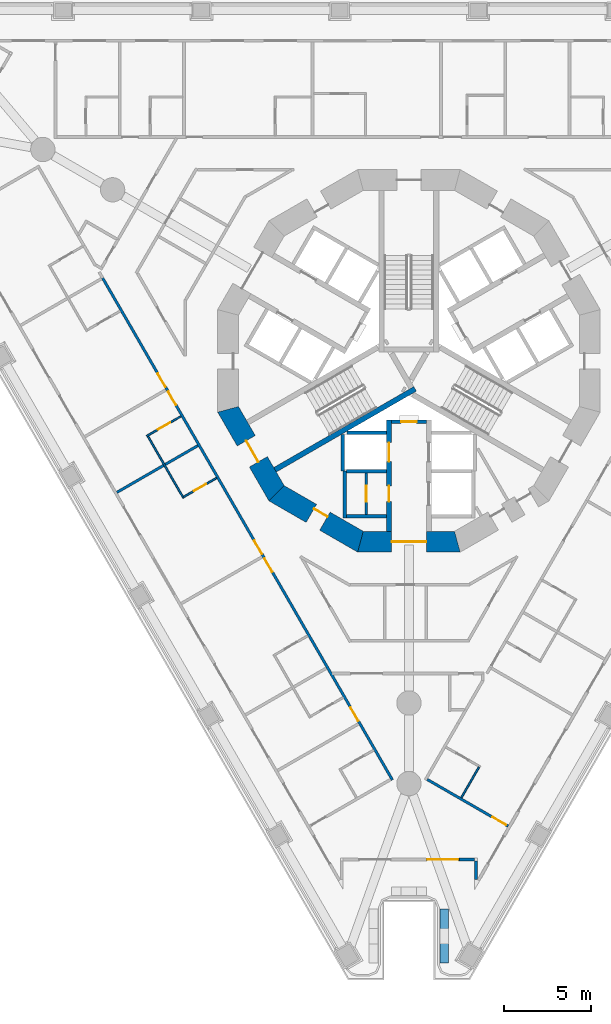
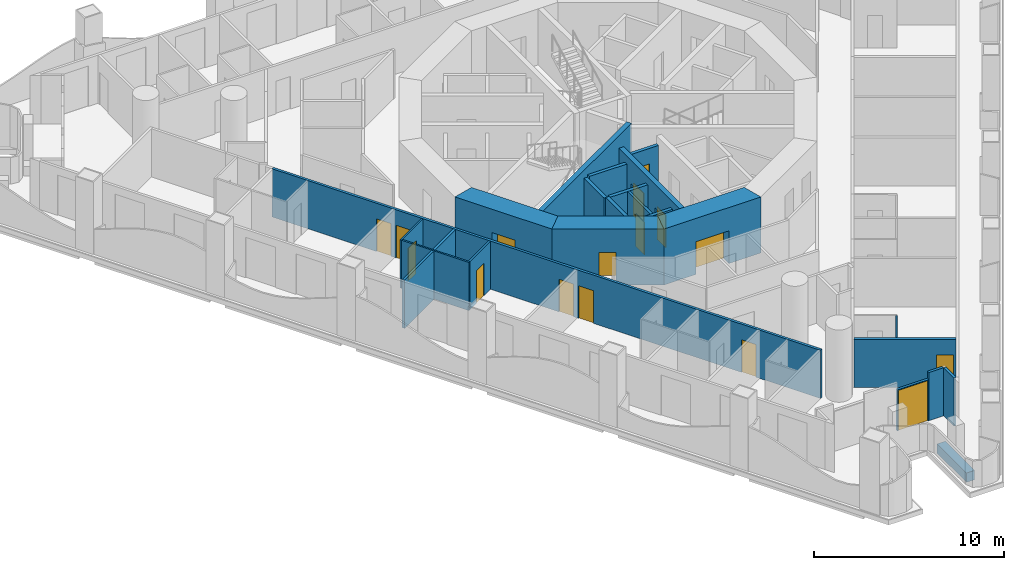
# One storey, part 3 of 19: 23 walls, 16 doors, 16 openings.
"""IFC4 building model written with IfcOpenShell, lengths in metres."""

import ifcopenshell
import ifcopenshell.guid

model = None  # the IFC model being written
_history = None  # IfcOwnerHistory: only IFC2X3 demands one
_inside = {}  # id of a spatial element -> (the spatial element, [elements in it])
_under = {}  # id of a project, library or spatial element -> (it, [spatial elements below it])
_declared = {}  # id of a project -> (the project, [libraries it declares])
_typed = {}  # id of a type object -> (the type object, [elements of that type])
_made_of = {}  # id of a material, layer set ... -> (it, [elements and type objects made of it])


def new_model(schema):
    """Start an empty IFC model of exactly this schema.

    Asked for "IFC4X3", IfcOpenShell would pick the latest addendum, in which some entities
    have other attributes; the version numbers below select the first issue.
    IFC2X3 requires an IfcOwnerHistory on every rooted entity: one is made here for all.
    """
    global model, _history
    if schema == "IFC4X3":
        model = ifcopenshell.file(schema_version=(4, 3, 0, 0))
    else:
        model = ifcopenshell.file(schema=schema)
    _inside.clear()
    _under.clear()
    _declared.clear()
    _typed.clear()
    _made_of.clear()
    _history = None
    if model.schema == "IFC2X3":
        org = make("IfcOrganization", Name="unknown")
        user = make(
            "IfcPersonAndOrganization",
            ThePerson=make("IfcPerson", FamilyName="unknown"),
            TheOrganization=org,
        )
        app = make(
            "IfcApplication",
            ApplicationDeveloper=org,
            Version="unknown",
            ApplicationFullName="unknown",
            ApplicationIdentifier="unknown",
        )
        _history = make(
            "IfcOwnerHistory",
            OwningUser=user,
            OwningApplication=app,
            ChangeAction="ADDED",
            CreationDate=0,
        )
    return model


def make(cls, **values):
    """One entity of the class cls with the attributes given. An attribute that is None is left unset."""
    return model.create_entity(
        cls, **{name: value for name, value in values.items() if value is not None}
    )


def rooted(cls, **values):
    """An entity with a GlobalId (a new one), such as an element, a storey or a relation."""
    return make(cls, GlobalId=ifcopenshell.guid.new(), OwnerHistory=_history, **values)


def si_unit(unit_type, name, prefix=None):
    """IfcSIUnit, for example si_unit("LENGTHUNIT", "METRE", prefix="MILLI")."""
    return make("IfcSIUnit", UnitType=unit_type, Prefix=prefix, Name=name)


def assignment(units):
    """IfcUnitAssignment: the units of a project."""
    return None if units is None else make("IfcUnitAssignment", Units=units)


def point(xyz):
    """IfcCartesianPoint."""
    return None if xyz is None else make("IfcCartesianPoint", Coordinates=xyz)


def direction(xyz):
    """IfcDirection."""
    return None if xyz is None else make("IfcDirection", DirectionRatios=xyz)


def frame(location, z_axis=None, x_axis=None):
    """IfcAxis2Placement3D, a coordinate frame: its origin and axes. An axis left out is left unset."""
    return make(
        "IfcAxis2Placement3D",
        Location=point(location),
        Axis=direction(z_axis),
        RefDirection=direction(x_axis),
    )


def frame_2d(location, x_axis=None):
    """IfcAxis2Placement2D, a coordinate frame in the plane: its origin and x axis."""
    return make(
        "IfcAxis2Placement2D", Location=point(location), RefDirection=direction(x_axis)
    )


def origin():
    """The frame at (0, 0, 0) with its axes left unset."""
    return frame((0.0, 0.0, 0.0))


def place(relative_to, where):
    """IfcLocalPlacement: puts the frame where relative to a parent placement (None: the world)."""
    return make(
        "IfcLocalPlacement", PlacementRelTo=relative_to, RelativePlacement=where
    )


def context(
    kind, dimensions, precision=None, world=None, true_north=None, identifier=None
):
    """IfcGeometricRepresentationContext, for example the 3D "Model" context."""
    return make(
        "IfcGeometricRepresentationContext",
        ContextIdentifier=identifier,
        ContextType=kind,
        CoordinateSpaceDimension=dimensions,
        Precision=precision,
        WorldCoordinateSystem=world,
        TrueNorth=true_north,
    )


def subcontext(parent, identifier, kind, view, scale=None):
    """IfcGeometricRepresentationSubContext, for example "Body" below "Model"."""
    return make(
        "IfcGeometricRepresentationSubContext",
        ContextIdentifier=identifier,
        ContextType=kind,
        ParentContext=parent,
        TargetScale=scale,
        TargetView=view,
    )


def project(units=None, contexts=None):
    """IfcProject with its units and contexts."""
    return rooted(
        "IfcProject",
        Name="project",
        RepresentationContexts=contexts,
        UnitsInContext=assignment(units),
    )


def spatial(cls, under=None, at=None, **own):
    """A site, building, storey or space (cls), placed at a placement, below another one or the project."""
    s = rooted(cls, ObjectPlacement=at, **own)
    if under is not None:
        _under.setdefault(under.id(), (under, []))[1].append(s)
    return s


def polyline(points):
    """IfcPolyline through the points."""
    return make("IfcPolyline", Points=[point(p) for p in points])


def profile(cls, at=None, kind="AREA", **sizes):
    """A parametric profile (cls). Its sizes go by their IFC names, for example OverallWidth=200.0."""
    return make(cls, ProfileType=kind, Position=at, **sizes)


def rectangle(**sizes):
    """IfcRectangleProfileDef."""
    return profile("IfcRectangleProfileDef", **sizes)


def outline(outer, holes=None, kind="AREA"):
    """IfcArbitraryClosedProfileDef: a profile drawn as a closed curve; with holes, ...WithVoids."""
    if holes is None:
        return make("IfcArbitraryClosedProfileDef", ProfileType=kind, OuterCurve=outer)
    return make(
        "IfcArbitraryProfileDefWithVoids",
        ProfileType=kind,
        OuterCurve=outer,
        InnerCurves=holes,
    )


def extrude(swept, where, along, depth):
    """IfcExtrudedAreaSolid: the profile swept, set in the frame where, extruded along a direction by depth."""
    return make(
        "IfcExtrudedAreaSolid",
        SweptArea=swept,
        Position=where,
        ExtrudedDirection=direction(along),
        Depth=depth,
    )


def shape(context_of_items, identifier, shape_type, items):
    """IfcShapeRepresentation: the items that make up one representation, for example the "Body"."""
    return make(
        "IfcShapeRepresentation",
        ContextOfItems=context_of_items,
        RepresentationIdentifier=identifier,
        RepresentationType=shape_type,
        Items=items,
    )


def material(Name=None, Category=None):
    """IfcMaterial."""
    return make("IfcMaterial", Name=Name, Category=Category)


def layer(
    of_material, thickness, ventilated=None, Name=None, Category=None, Priority=None
):
    """IfcMaterialLayer: one layer of a wall or slab, of a material (None: an air gap)."""
    return make(
        "IfcMaterialLayer",
        Material=of_material,
        LayerThickness=thickness,
        IsVentilated=ventilated,
        Name=Name,
        Category=Category,
        Priority=Priority,
    )


def layer_set(layers, Name=None):
    """IfcMaterialLayerSet."""
    return make("IfcMaterialLayerSet", MaterialLayers=layers, LayerSetName=Name)


def made_of(thing, what):
    """Note that an element or type object is made of a material, layer set ...; save() writes the relation."""
    if what is not None:
        _made_of.setdefault(what.id(), (what, []))[1].append(thing)
    return thing


def type_object(cls, material=None, **own):
    """A type object (cls), such as IfcWallType, which elements share."""
    return made_of(rooted(cls, **own), material)


def element(
    cls,
    number,
    at=None,
    inside=None,
    cuts=None,
    type_object=None,
    material=None,
    context=None,
    identifier="Body",
    shape_type=None,
    held_by="IfcProductDefinitionShape",
    body=None,
    shapes=None,
    **own,
):
    """One element of the class cls, such as IfcWall. Its Tag is "e" and its number.

    at: its placement. inside: the storey or other place that contains it. cuts: it is an
    opening in that element (IfcRelVoidsElement). A single representation is given by context,
    identifier, shape_type and body (its items); several are given by shapes. held_by: the class
    of the entity that holds the representations. save() writes the other relations.
    """
    e = rooted(cls, Tag="e%d" % number, ObjectPlacement=at, **own)
    if body is not None:
        shapes = [shape(context, identifier, shape_type, body)]
    if shapes is not None:
        e.Representation = make(held_by, Representations=shapes)
    if inside is not None:
        _inside.setdefault(inside.id(), (inside, []))[1].append(e)
    if cuts is not None:
        rooted(
            "IfcRelVoidsElement", RelatingBuildingElement=cuts, RelatedOpeningElement=e
        )
    if type_object is not None:
        _typed.setdefault(type_object.id(), (type_object, []))[1].append(e)
    return made_of(e, material)


def fill(opening, filler):
    """IfcRelFillsElement: the door or window that sits in an opening."""
    return rooted(
        "IfcRelFillsElement",
        RelatingOpeningElement=opening,
        RelatedBuildingElement=filler,
    )


def aggregate(whole, parts):
    """IfcRelAggregates: a whole, such as a stair, and the parts it consists of."""
    return rooted("IfcRelAggregates", RelatingObject=whole, RelatedObjects=parts)


def save(model, path):
    """Write the relations noted so far, then the file.

    IfcRelAggregates (storeys below a building ...), IfcRelContainedInSpatialStructure (elements
    in a storey), IfcRelDefinesByType, IfcRelAssociatesMaterial and IfcRelDeclares: one each for
    every whole, place, type object, material and project.
    """
    for whole, parts in _under.values():
        aggregate(whole, parts)
    for where, things in _inside.values():
        rooted(
            "IfcRelContainedInSpatialStructure",
            RelatedElements=things,
            RelatingStructure=where,
        )
    for kind, things in _typed.values():
        rooted("IfcRelDefinesByType", RelatedObjects=things, RelatingType=kind)
    for what, things in _made_of.values():
        rooted("IfcRelAssociatesMaterial", RelatedObjects=things, RelatingMaterial=what)
    for by, libraries in _declared.values():
        rooted("IfcRelDeclares", RelatingContext=by, RelatedDefinitions=libraries)
    model.write(path)


model = new_model("IFC4")

# Units and contexts
model_context = context("Model", 3, precision=1e-05, world=origin(), true_north=direction((0.0, 1.0)))
body_context = subcontext(model_context, "Body", "Model", "MODEL_VIEW")
ifc_project = project(units=[si_unit("LENGTHUNIT", "METRE"), si_unit("AREAUNIT", "SQUARE_METRE"), si_unit("VOLUMEUNIT", "CUBIC_METRE"), si_unit("PLANEANGLEUNIT", "RADIAN"), si_unit("MASSUNIT", "GRAM", prefix="KILO")], contexts=[model_context])

# Site, building, storey
site_placement = place(None, origin())
site = spatial("IfcSite", under=ifc_project, at=site_placement, CompositionType="ELEMENT")
building_placement = place(site_placement, origin())
building = spatial("IfcBuilding", under=site, at=building_placement, Name="Trine Commons Tower", CompositionType="ELEMENT")
storey_placement = place(building_placement, frame((0.0, 0.0, 42.300048828125)))
storey = spatial("IfcBuildingStorey", under=building, at=storey_placement, Name="L09", CompositionType="ELEMENT", Elevation=42.300048828125)

# Wall, opening, door
ifc_material_1 = material(Name="Plasterboard partition on steel studs", Category="steel")
ifc_layer_1 = layer(ifc_material_1, 0.14990234375)
ifc_layer_set_1 = layer_set([ifc_layer_1], Name="Plasterboard partition on steel studs")
wall_type_1 = type_object("IfcWallType", Name="Core room partition 150 mm, EI 60", PredefinedType="PARTITIONING", material=ifc_layer_set_1)
wall_1_placement = place(storey_placement, frame((77.550048828125, 56.050048828125, 0.0), z_axis=(0.0, 0.0, 1.0), x_axis=(0.0, -1.0, 0.0)))
wall_1 = element("IfcWall", 1, at=wall_1_placement, inside=storey, type_object=wall_type_1, Name="Core room partition L09", PredefinedType="PARTITIONING", context=body_context, shape_type="SweptSolid", body=[
    extrude(rectangle(XDim=2.400146484375, YDim=0.14990234375, at=frame_2d((1.2001953125, 0.0))), origin(), (0.0, 0.0, 1.0), 3.099853515625),
])
opening_1_placement = place(wall_1_placement, frame((0.75, 0.0, 0.0)))
opening_1 = element("IfcOpeningElement", 2, at=opening_1_placement, cuts=wall_1, Name="Opening K04.11", PredefinedType="OPENING", context=body_context, shape_type="SweptSolid", body=[
    extrude(rectangle(XDim=0.89990234375, YDim=2.10009765625, at=frame_2d((0.449951171875, 1.050048828125))), frame((0.0, 0.0849609375, 0.0), z_axis=(0.0, -1.0, 0.0), x_axis=(1.0, 0.0, 0.0)), (0.0, 0.0, 1.0), 0.169921875),
])
ifc_material_2 = material(Name="Steel door leaf, fire-rated", Category="steel")
door_type_1 = type_object("IfcDoorType", Name="Core room door, single leaf 900 x 2100, FD30S", OperationType="SINGLE_SWING_LEFT", PredefinedType="DOOR", material=ifc_material_2)
door_1_placement = place(opening_1_placement, frame((0.89990234375, 0.0, 0.0), z_axis=(0.0, 0.0, 1.0), x_axis=(-1.0, 0.0, 0.0)))
door_1 = element("IfcDoor", 3, at=door_1_placement, inside=storey, type_object=door_type_1, Name="Door to Pantry L09", OperationType="SINGLE_SWING_LEFT", OverallHeight=2.10009765625, OverallWidth=0.89990234375, PredefinedType="DOOR", context=body_context, shape_type="SweptSolid", body=[
    extrude(rectangle(XDim=0.89990234375, YDim=2.10009765625, at=frame_2d((0.449951171875, 1.050048828125))), frame((0.0, 0.02490234375, 0.0), z_axis=(0.0, -1.0, 0.0), x_axis=(1.0, 0.0, 0.0)), (0.0, 0.0, 1.0), 0.050048828125),
])
fill(opening_1, door_1)

# Walls
ifc_material_3 = material(Name="Aluminium-framed insulated wall panel", Category="aluminium")
ifc_layer_2 = layer(ifc_material_3, 0.14990234375)
ifc_layer_set_2 = layer_set([ifc_layer_2], Name="Aluminium-framed insulated wall panel")
wall_type_2 = type_object("IfcWallType", Name="Glazed frame wall 150, EI 60", PredefinedType="SOLIDWALL", material=ifc_layer_set_2)
wall_2_placement = place(storey_placement, frame((83.864990234375, 32.48583984375, 0.0), z_axis=(0.0, 0.0, 1.0), x_axis=(0.0, 1.0, 0.0)))
element("IfcWall", 4, at=wall_2_placement, inside=storey, type_object=wall_type_2, Name="Glazed frame wall R9", PredefinedType="SOLIDWALL", context=body_context, shape_type="SweptSolid", body=[
    extrude(outline(polyline([(0.1494140625, 0.074951171875), (0.1494140625, -0.074951171875), (1.235107421875, -0.074951171875), (1.235107421875, 0.074951171875), (0.1494140625, 0.074951171875)])), origin(), (0.0, 0.0, 1.0), 3.099853515625),
])
wall_3_placement = place(storey_placement, frame((83.89990234375, 33.7958984375, 0.0), z_axis=(0.0, 0.0, 1.0), x_axis=(-1.0, 0.0, 0.0)))
element("IfcWall", 5, at=wall_3_placement, inside=storey, type_object=wall_type_2, Name="Glazed frame wall P3.1", PredefinedType="SOLIDWALL", context=body_context, shape_type="SweptSolid", body=[
    extrude(outline(polyline([(0.110107421875, -0.074951171875), (1.0, -0.074951171875), (1.0, 0.074951171875), (0.110107421875, 0.074951171875), (0.110107421875, -0.074951171875)])), origin(), (0.0, 0.0, 1.0), 3.099853515625),
])

# Wall, opening, door
wall_4_placement = place(storey_placement, frame((82.89990234375, 33.7958984375, 0.0), z_axis=(0.0, 0.0, 1.0), x_axis=(-1.0, 0.0, 0.0)))
wall_4 = element("IfcWall", 6, at=wall_4_placement, inside=storey, type_object=wall_type_2, Name="Glazed frame wall P3.2", PredefinedType="SOLIDWALL", context=body_context, shape_type="SweptSolid", body=[
    extrude(outline(polyline([(0.0, -0.074951171875), (1.89990234375, -0.074951171875), (1.89990234375, 0.074951171875), (0.0, 0.074951171875), (0.0, -0.074951171875)])), origin(), (0.0, 0.0, 1.0), 2.64990234375),
])
opening_2_placement = place(wall_4_placement, frame((0.050048828125, 0.0, 0.0)))
opening_2 = element("IfcOpeningElement", 7, at=opening_2_placement, cuts=wall_4, Name="Opening BD-1P3-01", PredefinedType="OPENING", context=body_context, shape_type="SweptSolid", body=[
    extrude(rectangle(XDim=1.800048828125, YDim=2.60009765625, at=frame_2d((0.89990234375, 1.300048828125))), frame((0.0, 0.0849609375, 0.0), z_axis=(0.0, -1.0, 0.0), x_axis=(1.0, 0.0, 0.0)), (0.0, 0.0, 1.0), 0.169921875),
])
ifc_material_4 = material(Name="Anodised aluminium frame with double glazing", Category="aluminium")
door_type_2 = type_object("IfcDoorType", Name="Sliding loggia door 1800x2600", OperationType="SLIDING_TO_LEFT", PredefinedType="DOOR", material=ifc_material_4)
door_2_placement = place(opening_2_placement, origin())
door_2 = element("IfcDoor", 8, at=door_2_placement, inside=storey, type_object=door_type_2, Name="Loggia door P3 1", OperationType="SLIDING_TO_LEFT", OverallHeight=2.60009765625, OverallWidth=1.800048828125, PredefinedType="DOOR", context=body_context, shape_type="SweptSolid", body=[
    extrude(rectangle(XDim=1.800048828125, YDim=2.60009765625, at=frame_2d((0.89990234375, 1.300048828125))), frame((0.0, 0.02490234375, 0.0), z_axis=(0.0, -1.0, 0.0), x_axis=(1.0, 0.0, 0.0)), (0.0, 0.0, 1.0), 0.050048828125),
])
fill(opening_2, door_2)

ifc_material_5 = material(Name="Fire-rated gypsum shaft wall system")
ifc_layer_3 = layer(ifc_material_5, 0.199951171875)
ifc_layer_set_3 = layer_set([ifc_layer_3], Name="Fire-rated gypsum shaft wall system")
wall_type_3 = type_object("IfcWallType", Name="Lobby end wall 200 mm, EI 120", PredefinedType="PARTITIONING", material=ifc_layer_set_3)
wall_5_placement = place(storey_placement, frame((79.0, 59.0, 0.0), z_axis=(0.0, 0.0, 1.0), x_axis=(1.0, 0.0, 0.0)))
wall_5 = element("IfcWall", 9, at=wall_5_placement, inside=storey, type_object=wall_type_3, Name="Lobby end wall L09", PredefinedType="PARTITIONING", context=body_context, shape_type="SweptSolid", body=[
    extrude(rectangle(XDim=2.0, YDim=0.199951171875, at=frame_2d((1.0, 0.0))), origin(), (0.0, 0.0, 1.0), 3.099853515625),
])
opening_3_placement = place(wall_5_placement, frame((0.550048828125, 0.0, 0.0)))
opening_3 = element("IfcOpeningElement", 10, at=opening_3_placement, cuts=wall_5, Name="Opening K04.09", PredefinedType="OPENING", context=body_context, shape_type="SweptSolid", body=[
    extrude(rectangle(XDim=0.89990234375, YDim=2.10009765625, at=frame_2d((0.449951171875, 1.050048828125))), frame((0.0, 0.10986328125, 0.0), z_axis=(0.0, -1.0, 0.0), x_axis=(1.0, 0.0, 0.0)), (0.0, 0.0, 1.0), 0.219970703125),
])
door_type_3 = type_object("IfcDoorType", Name="Riser access door, single leaf 900 x 2100, FD60", OperationType="SINGLE_SWING_LEFT", PredefinedType="DOOR", material=ifc_material_2)
door_3_placement = place(opening_3_placement, frame((0.89990234375, 0.0, 0.0), z_axis=(0.0, 0.0, 1.0), x_axis=(-1.0, 0.0, 0.0)))
door_3 = element("IfcDoor", 11, at=door_3_placement, inside=storey, type_object=door_type_3, Name="Riser door, Communications riser L09", OperationType="SINGLE_SWING_RIGHT", OverallHeight=2.10009765625, OverallWidth=0.89990234375, PredefinedType="DOOR", context=body_context, shape_type="SweptSolid", body=[
    extrude(rectangle(XDim=0.89990234375, YDim=2.10009765625, at=frame_2d((0.449951171875, 1.050048828125))), frame((0.0, 0.02490234375, 0.0), z_axis=(0.0, -1.0, 0.0), x_axis=(1.0, 0.0, 0.0)), (0.0, 0.0, 1.0), 0.050048828125),
])
fill(opening_3, door_3)

# Wall
ifc_material_6 = material(Name="Planter trough, precast concrete C40/50", Category="concrete")
ifc_layer_4 = layer(ifc_material_6, 0.5)
ifc_layer_set_4 = layer_set([ifc_layer_4], Name="Planter trough, precast concrete C40/50")
wall_type_4 = type_object("IfcWallType", Name="Planter trough 500x600", PredefinedType="PARAPET", material=ifc_layer_set_4)
wall_6_placement = place(storey_placement, frame((82.0400390625, 27.830810546875, 0.0), z_axis=(0.0, 0.0, 1.0), x_axis=(0.0, 1.0, 0.0)))
element("IfcWall", 12, at=wall_6_placement, inside=storey, type_object=wall_type_4, Name="Planter 7", PredefinedType="PARAPET", context=body_context, shape_type="SweptSolid", body=[
    extrude(rectangle(XDim=3.10009765625, YDim=0.5, at=frame_2d((1.550048828125, 0.0))), origin(), (0.0, 0.0, 1.0), 0.599853515625),
])

# Wall, opening, door
ifc_material_7 = material(Name="Concrete C80/95", Category="concrete")
ifc_layer_5 = layer(ifc_material_7, 1.199951171875)
ifc_layer_set_5 = layer_set([ifc_layer_5], Name="Concrete C80/95")
wall_type_5 = type_object("IfcWallType", Name="RC shear wall 1200 mm, C80/95", PredefinedType="SHEAR", material=ifc_layer_set_5)
wall_7_placement = place(storey_placement, frame((69.508056640625, 59.849609375, 0.0), z_axis=(0.0, 0.0, 1.0), x_axis=(0.499979111662, -0.866037463336, 0.0)))
wall_7 = element("IfcWall", 13, at=wall_7_placement, inside=storey, type_object=wall_type_5, Name="Core wall CWA-08 L09", PredefinedType="SHEAR", context=body_context, shape_type="SweptSolid", body=[
    extrude(outline(polyline([(0.0, -0.60009765625), (5.901123046875, -0.60009765625), (5.57958984375, 0.60009765625), (0.321533203125, 0.60009765625), (0.0, -0.60009765625)])), origin(), (0.0, 0.0, 1.0), 3.599853515625),
])
opening_4_placement = place(wall_7_placement, frame((2.25048828125, 0.0, 0.0)))
opening_4 = element("IfcOpeningElement", 14, at=opening_4_placement, cuts=wall_7, Name="Opening K04.02", PredefinedType="OPENING", context=body_context, shape_type="SweptSolid", body=[
    extrude(rectangle(XDim=1.39990234375, YDim=2.10009765625, at=frame_2d((0.699951171875, 1.050048828125))), frame((0.0, 0.60986328125, 0.0), z_axis=(0.0, -1.0, 0.0), x_axis=(1.0, 0.0, 0.0)), (0.0, 0.0, 1.0), 1.219970703125),
])
ifc_material_8 = material(Name="Steel door leaves, fire-rated", Category="steel")
door_type_4 = type_object("IfcDoorType", Name="Stair door, double leaf 1400 x 2100, FD90", OperationType="DOUBLE_DOOR_SINGLE_SWING", PredefinedType="DOOR", material=ifc_material_8)
door_4_placement = place(opening_4_placement, origin())
door_4 = element("IfcDoor", 15, at=door_4_placement, inside=storey, type_object=door_type_4, Name="Stair door to Exit stair ST2A L09", OperationType="DOUBLE_DOOR_SINGLE_SWING", OverallHeight=2.10009765625, OverallWidth=1.39990234375, PredefinedType="DOOR", context=body_context, shape_type="SweptSolid", body=[
    extrude(rectangle(XDim=1.39990234375, YDim=2.10009765625, at=frame_2d((0.699951171875, 1.050048828125))), frame((0.0, 0.02490234375, 0.0), z_axis=(0.0, -1.0, 0.0), x_axis=(1.0, 0.0, 0.0)), (0.0, 0.0, 1.0), 0.050048828125),
])
fill(opening_4, door_4)

wall_8_placement = place(storey_placement, frame((72.239013671875, 54.95849609375, 0.0), z_axis=(0.0, 0.0, 1.0), x_axis=(0.866037463336, -0.499979111662, 0.0)))
wall_8 = element("IfcWall", 16, at=wall_8_placement, inside=storey, type_object=wall_type_5, Name="Core wall CWA-09 L09", PredefinedType="SHEAR", context=body_context, shape_type="SweptSolid", body=[
    extrude(outline(polyline([(0.0, -0.60009765625), (5.901123046875, -0.60009765625), (5.57958984375, 0.60009765625), (0.321533203125, 0.60009765625), (0.0, -0.60009765625)])), origin(), (0.0, 0.0, 1.0), 3.599853515625),
])
opening_5_placement = place(wall_8_placement, frame((2.4765625, 0.0, 0.0)))
opening_5 = element("IfcOpeningElement", 17, at=opening_5_placement, cuts=wall_8, Name="Opening K04.15", PredefinedType="OPENING", context=body_context, shape_type="SweptSolid", body=[
    extrude(rectangle(XDim=0.89990234375, YDim=2.10009765625, at=frame_2d((0.449951171875, 1.050048828125))), frame((0.0, 0.60986328125, 0.0), z_axis=(0.0, -1.0, 0.0), x_axis=(1.0, 0.0, 0.0)), (0.0, 0.0, 1.0), 1.219970703125),
])
door_5_placement = place(opening_5_placement, origin())
door_5 = element("IfcDoor", 18, at=door_5_placement, inside=storey, type_object=door_type_1, Name="Door to Cleaner's store L09", OperationType="SINGLE_SWING_LEFT", OverallHeight=2.10009765625, OverallWidth=0.89990234375, PredefinedType="DOOR", context=body_context, shape_type="SweptSolid", body=[
    extrude(rectangle(XDim=0.89990234375, YDim=2.10009765625, at=frame_2d((0.449951171875, 1.050048828125))), frame((0.0, 0.3251953125, 0.0), z_axis=(0.0, -1.0, 0.0), x_axis=(1.0, 0.0, 0.0)), (0.0, 0.0, 1.0), 0.050048828125),
])
fill(opening_5, door_5)

wall_9_placement = place(storey_placement, frame((77.049560546875, 52.08837890625, 0.0), z_axis=(0.0, 0.0, 1.0), x_axis=(1.0, 0.0, 0.0)))
wall_9 = element("IfcWall", 19, at=wall_9_placement, inside=storey, type_object=wall_type_5, Name="Core wall CWA-10 L09", PredefinedType="SHEAR", context=body_context, shape_type="SweptSolid", body=[
    extrude(outline(polyline([(0.0, -0.60009765625), (5.90087890625, -0.60009765625), (5.57958984375, 0.60009765625), (0.321533203125, 0.60009765625), (0.0, -0.60009765625)])), origin(), (0.0, 0.0, 1.0), 3.599853515625),
])
opening_6_placement = place(wall_9_placement, frame((1.950439453125, 0.0, 0.0)))
opening_6 = element("IfcOpeningElement", 20, at=opening_6_placement, cuts=wall_9, Name="Opening K04.08", PredefinedType="OPENING", context=body_context, shape_type="SweptSolid", body=[
    extrude(rectangle(XDim=2.0, YDim=2.10009765625, at=frame_2d((1.0, 1.050048828125))), frame((0.0, 0.60986328125, 0.0), z_axis=(0.0, -1.0, 0.0), x_axis=(1.0, 0.0, 0.0)), (0.0, 0.0, 1.0), 1.219970703125),
])
door_type_5 = type_object("IfcDoorType", Name="Lobby door, double leaf 2000 x 2100, FD60", OperationType="DOUBLE_DOOR_SINGLE_SWING", PredefinedType="DOOR", material=ifc_material_8)
door_6_placement = place(opening_6_placement, origin())
door_6 = element("IfcDoor", 21, at=door_6_placement, inside=storey, type_object=door_type_5, Name="Lobby door, Service and firefighting lobby L09", OperationType="DOUBLE_DOOR_SINGLE_SWING", OverallHeight=2.10009765625, OverallWidth=2.0, PredefinedType="DOOR", context=body_context, shape_type="SweptSolid", body=[
    extrude(rectangle(XDim=2.0, YDim=2.10009765625, at=frame_2d((1.0, 1.050048828125))), frame((0.0, 0.02490234375, 0.0), z_axis=(0.0, -1.0, 0.0), x_axis=(1.0, 0.0, 0.0)), (0.0, 0.0, 1.0), 0.050048828125),
])
fill(opening_6, door_6)

# Wall, openings, doors
ifc_layer_6 = layer(ifc_material_7, 0.300048828125)
ifc_layer_set_6 = layer_set([ifc_layer_6], Name="Concrete C80/95")
wall_type_6 = type_object("IfcWallType", Name="RC shear wall 300 mm, C80/95", PredefinedType="SHEAR", material=ifc_layer_set_6)
wall_10_placement = place(storey_placement, frame((78.85009765625, 59.10009765625, 0.0), z_axis=(0.0, 0.0, 1.0), x_axis=(0.0, -1.0, 0.0)))
wall_10 = element("IfcWall", 22, at=wall_10_placement, inside=storey, type_object=wall_type_6, Name="Core cross wall SWA-03 L09", PredefinedType="SHEAR", context=body_context, shape_type="SweptSolid", body=[
    extrude(rectangle(XDim=6.412109375, YDim=0.300048828125, at=frame_2d((3.2060546875, 0.0))), origin(), (0.0, 0.0, 1.0), 3.599853515625),
])
opening_7_placement = place(wall_10_placement, frame((3.800048828125, 0.0, 0.0)))
opening_7 = element("IfcOpeningElement", 23, at=opening_7_placement, cuts=wall_10, Name="Opening K04.10", PredefinedType="OPENING", context=body_context, shape_type="SweptSolid", body=[
    extrude(rectangle(XDim=0.89990234375, YDim=2.10009765625, at=frame_2d((0.449951171875, 1.050048828125))), frame((0.0, 0.159912109375, 0.0), z_axis=(0.0, -1.0, 0.0), x_axis=(1.0, 0.0, 0.0)), (0.0, 0.0, 1.0), 0.320068359375),
])
opening_8_placement = place(wall_10_placement, frame((1.300048828125, 0.0, 0.0)))
opening_8 = element("IfcOpeningElement", 24, at=opening_8_placement, cuts=wall_10, Name="Opening LD10", PredefinedType="OPENING", context=body_context, shape_type="SweptSolid", body=[
    extrude(rectangle(XDim=1.10009765625, YDim=2.10009765625, at=frame_2d((0.550048828125, 1.050048828125))), frame((0.0, 0.159912109375, 0.0), z_axis=(0.0, -1.0, 0.0), x_axis=(1.0, 0.0, 0.0)), (0.0, 0.0, 1.0), 0.320068359375),
])
door_7_placement = place(opening_7_placement, frame((0.89990234375, 0.0, 0.0), z_axis=(0.0, 0.0, 1.0), x_axis=(-1.0, 0.0, 0.0)))
door_7 = element("IfcDoor", 25, at=door_7_placement, inside=storey, type_object=door_type_1, Name="Door to Linen store L09", OperationType="SINGLE_SWING_RIGHT", OverallHeight=2.10009765625, OverallWidth=0.89990234375, PredefinedType="DOOR", context=body_context, shape_type="SweptSolid", body=[
    extrude(rectangle(XDim=0.89990234375, YDim=2.10009765625, at=frame_2d((0.449951171875, 1.050048828125))), frame((0.0, 0.02490234375, 0.0), z_axis=(0.0, -1.0, 0.0), x_axis=(1.0, 0.0, 0.0)), (0.0, 0.0, 1.0), 0.050048828125),
])
fill(opening_7, door_7)
ifc_material_9 = material(Name="Stainless steel sliding door leaves", Category="steel")
door_type_6 = type_object("IfcDoorType", Name="Lift landing door, centre-opening sliding 1100 x 2100, FD90", OperationType="DOUBLE_DOOR_SLIDING", PredefinedType="DOOR", material=ifc_material_9)
door_8_placement = place(opening_8_placement, origin())
door_8 = element("IfcDoor", 26, at=door_8_placement, inside=storey, type_object=door_type_6, Name="Lift landing door FF2 L09", OperationType="DOUBLE_DOOR_SLIDING", OverallHeight=2.10009765625, OverallWidth=1.10009765625, PredefinedType="DOOR", context=body_context, shape_type="SweptSolid", body=[
    extrude(rectangle(XDim=1.10009765625, YDim=2.10009765625, at=frame_2d((0.550048828125, 1.050048828125))), frame((0.0, 0.02490234375, 0.0), z_axis=(0.0, -1.0, 0.0), x_axis=(1.0, 0.0, 0.0)), (0.0, 0.0, 1.0), 0.050048828125),
])
fill(opening_8, door_8)

# Walls
wall_11_placement = place(storey_placement, frame((80.35400390625, 60.885986328125, 0.0), z_axis=(0.0, 0.0, 1.0), x_axis=(-0.865986456211, -0.50006745311, 0.0)))
element("IfcWall", 27, at=wall_11_placement, inside=storey, type_object=wall_type_6, Name="Core cross wall SWA-14 L09", PredefinedType="SHEAR", context=body_context, shape_type="SweptSolid", body=[
    extrude(rectangle(XDim=9.310791015625, YDim=0.300048828125, at=frame_2d((4.6552734375, 0.0))), origin(), (0.0, 0.0, 1.0), 3.599853515625),
])
ifc_layer_7 = layer(ifc_material_5, 0.199951171875)
ifc_layer_set_7 = layer_set([ifc_layer_7], Name="Fire-rated gypsum shaft wall system")
wall_type_7 = type_object("IfcWallType", Name="Shaft wall 200 mm, EI 120", PredefinedType="PARTITIONING", material=ifc_layer_set_7)
wall_12_placement = place(storey_placement, frame((76.199951171875, 58.256103515625, 0.0), z_axis=(0.0, 0.0, 1.0), x_axis=(0.0, -1.0, 0.0)))
element("IfcWall", 28, at=wall_12_placement, inside=storey, type_object=wall_type_7, Name="Shaft wall L09", PredefinedType="PARTITIONING", context=body_context, shape_type="SweptSolid", body=[
    extrude(rectangle(XDim=2.106201171875, YDim=0.199951171875, at=frame_2d((1.05322265625, 0.0))), origin(), (0.0, 0.0, 1.0), 3.099853515625),
])
wall_13_placement = place(storey_placement, frame((76.300048828125, 56.14990234375, 0.0), z_axis=(0.0, 0.0, 1.0), x_axis=(0.0, -1.0, 0.0)))
element("IfcWall", 29, at=wall_13_placement, inside=storey, type_object=wall_type_7, Name="Shaft wall L09", PredefinedType="PARTITIONING", context=body_context, shape_type="SweptSolid", body=[
    extrude(rectangle(XDim=2.699951171875, YDim=0.199951171875, at=frame_2d((1.35009765625, 0.0))), origin(), (0.0, 0.0, 1.0), 3.099853515625),
])
for number, where, z_axis, x_axis, name in (
    (30, (78.699951171875, 53.550048828125, 0.0), (0.0, 0.0, 1.0), (-1.0, 0.0, 0.0), "Shaft wall L09"),
    (31, (78.699951171875, 56.14990234375, 0.0), (0.0, 0.0, 1.0), (-1.0, 0.0, 0.0), "Shaft wall L09"),
):
    element("IfcWall", number, at=place(storey_placement, frame(where, z_axis=z_axis, x_axis=x_axis)), inside=storey, type_object=wall_type_7, Name=name, PredefinedType="PARTITIONING", context=body_context, shape_type="SweptSolid", body=[
        extrude(rectangle(XDim=2.300048828125, YDim=0.199951171875, at=frame_2d((1.14990234375, 0.0))), origin(), (0.0, 0.0, 1.0), 3.099853515625),
    ])
wall_14_placement = place(storey_placement, frame((78.699951171875, 58.35009765625, 0.0), z_axis=(0.0, 0.0, 1.0), x_axis=(-1.0, 0.0, 0.0)))
element("IfcWall", 32, at=wall_14_placement, inside=storey, type_object=wall_type_7, Name="Shaft wall L09", PredefinedType="PARTITIONING", context=body_context, shape_type="SweptSolid", body=[
    extrude(rectangle(XDim=2.264892578125, YDim=0.199951171875, at=frame_2d((1.13232421875, 0.0))), origin(), (0.0, 0.0, 1.0), 3.099853515625),
])

# Wall, openings, doors
ifc_material_10 = material(Name="Gypsum plasterboard on steel stud", Category="steel")
ifc_layer_8 = layer(ifc_material_10, 0.14990234375)
ifc_layer_set_8 = layer_set([ifc_layer_8], Name="Gypsum plasterboard on steel stud")
wall_type_8 = type_object("IfcWallType", Name="Unit and corridor wall 150 mm, EI 60", PredefinedType="PARTITIONING", material=ifc_layer_set_8)
wall_15_placement = place(storey_placement, frame((62.364990234375, 67.27099609375, 0.0), z_axis=(0.0, 0.0, 1.0), x_axis=(0.500007452008, -0.866021101323, 0.0)))
wall_15 = element("IfcWall", 33, at=wall_15_placement, inside=storey, type_object=wall_type_8, Name="Partition 019", PredefinedType="PARTITIONING", context=body_context, shape_type="SweptSolid", body=[
    extrude(rectangle(XDim=33.36865234375, YDim=0.14990234375, at=frame_2d((16.684326171875, 0.0))), origin(), (0.0, 0.0, 1.0), 3.099853515625),
])
opening_9_placement = place(wall_15_placement, frame((28.54443359375, 0.0, 0.0)))
opening_9 = element("IfcOpeningElement", 34, at=opening_9_placement, cuts=wall_15, Name="Opening D-1B24", PredefinedType="OPENING", context=body_context, shape_type="SweptSolid", body=[
    extrude(rectangle(XDim=0.89990234375, YDim=2.10009765625, at=frame_2d((0.449951171875, 1.050048828125))), frame((0.0, 0.0849609375, 0.0), z_axis=(0.0, -1.0, 0.0), x_axis=(1.0, 0.0, 0.0)), (0.0, 0.0, 1.0), 0.169921875),
])
opening_10_placement = place(wall_15_placement, frame((18.647216796875, 0.0, 0.0)))
opening_10 = element("IfcOpeningElement", 35, at=opening_10_placement, cuts=wall_15, Name="Opening D-1B25", PredefinedType="OPENING", context=body_context, shape_type="SweptSolid", body=[
    extrude(rectangle(XDim=0.89990234375, YDim=2.10009765625, at=frame_2d((0.449951171875, 1.050048828125))), frame((0.0, 0.0849609375, 0.0), z_axis=(0.0, -1.0, 0.0), x_axis=(1.0, 0.0, 0.0)), (0.0, 0.0, 1.0), 0.169921875),
])
opening_11_placement = place(wall_15_placement, frame((17.447509765625, 0.0, 0.0)))
opening_11 = element("IfcOpeningElement", 36, at=opening_11_placement, cuts=wall_15, Name="Opening D-1B26", PredefinedType="OPENING", context=body_context, shape_type="SweptSolid", body=[
    extrude(rectangle(XDim=0.89990234375, YDim=2.10009765625, at=frame_2d((0.449951171875, 1.050048828125))), frame((0.0, 0.0849609375, 0.0), z_axis=(0.0, -1.0, 0.0), x_axis=(1.0, 0.0, 0.0)), (0.0, 0.0, 1.0), 0.169921875),
])
opening_12_placement = place(wall_15_placement, frame((7.55078125, 0.0, 0.0)))
opening_12 = element("IfcOpeningElement", 37, at=opening_12_placement, cuts=wall_15, Name="Opening D-1B27", PredefinedType="OPENING", context=body_context, shape_type="SweptSolid", body=[
    extrude(rectangle(XDim=0.89990234375, YDim=2.10009765625, at=frame_2d((0.449951171875, 1.050048828125))), frame((0.0, 0.0849609375, 0.0), z_axis=(0.0, -1.0, 0.0), x_axis=(1.0, 0.0, 0.0)), (0.0, 0.0, 1.0), 0.169921875),
])
opening_13_placement = place(wall_15_placement, frame((6.350830078125, 0.0, 0.0)))
opening_13 = element("IfcOpeningElement", 38, at=opening_13_placement, cuts=wall_15, Name="Opening D-1B28", PredefinedType="OPENING", context=body_context, shape_type="SweptSolid", body=[
    extrude(rectangle(XDim=0.89990234375, YDim=2.10009765625, at=frame_2d((0.449951171875, 1.050048828125))), frame((0.0, 0.0849609375, 0.0), z_axis=(0.0, -1.0, 0.0), x_axis=(1.0, 0.0, 0.0)), (0.0, 0.0, 1.0), 0.169921875),
])
ifc_material_11 = material(Name="Timber fire door set", Category="wood")
door_type_7 = type_object("IfcDoorType", Name="Bedroom door 900 x 2100, FD30S", OperationType="NOTDEFINED", PredefinedType="DOOR", material=ifc_material_11)
door_9_placement = place(opening_9_placement, frame((0.89990234375, 0.0, 0.0), z_axis=(0.0, 0.0, 1.0), x_axis=(-1.0, 0.0, 0.0)))
door_9 = element("IfcDoor", 39, at=door_9_placement, inside=storey, type_object=door_type_7, Name="Door D-1B24", OperationType="SINGLE_SWING_LEFT", OverallHeight=2.10009765625, OverallWidth=0.89990234375, PredefinedType="DOOR", context=body_context, shape_type="SweptSolid", body=[
    extrude(rectangle(XDim=0.89990234375, YDim=2.10009765625, at=frame_2d((0.449951171875, 1.050048828125))), frame((0.0, 0.02490234375, 0.0), z_axis=(0.0, -1.0, 0.0), x_axis=(1.0, 0.0, 0.0)), (0.0, 0.0, 1.0), 0.050048828125),
])
fill(opening_9, door_9)
door_10_placement = place(opening_10_placement, frame((0.89990234375, 0.0, 0.0), z_axis=(0.0, 0.0, 1.0), x_axis=(-1.0, 0.0, 0.0)))
door_10 = element("IfcDoor", 40, at=door_10_placement, inside=storey, type_object=door_type_7, Name="Door D-1B25", OperationType="SINGLE_SWING_LEFT", OverallHeight=2.10009765625, OverallWidth=0.89990234375, PredefinedType="DOOR", context=body_context, shape_type="SweptSolid", body=[
    extrude(rectangle(XDim=0.89990234375, YDim=2.10009765625, at=frame_2d((0.449951171875, 1.050048828125))), frame((0.0, 0.02490234375, 0.0), z_axis=(0.0, -1.0, 0.0), x_axis=(1.0, 0.0, 0.0)), (0.0, 0.0, 1.0), 0.050048828125),
])
fill(opening_10, door_10)
door_11_placement = place(opening_11_placement, frame((0.89990234375, 0.0, 0.0), z_axis=(0.0, 0.0, 1.0), x_axis=(-1.0, 0.0, 0.0)))
door_11 = element("IfcDoor", 41, at=door_11_placement, inside=storey, type_object=door_type_7, Name="Door D-1B26", OperationType="SINGLE_SWING_LEFT", OverallHeight=2.10009765625, OverallWidth=0.89990234375, PredefinedType="DOOR", context=body_context, shape_type="SweptSolid", body=[
    extrude(rectangle(XDim=0.89990234375, YDim=2.10009765625, at=frame_2d((0.449951171875, 1.050048828125))), frame((0.0, 0.02490234375, 0.0), z_axis=(0.0, -1.0, 0.0), x_axis=(1.0, 0.0, 0.0)), (0.0, 0.0, 1.0), 0.050048828125),
])
fill(opening_11, door_11)
door_12_placement = place(opening_12_placement, frame((0.89990234375, 0.0, 0.0), z_axis=(0.0, 0.0, 1.0), x_axis=(-1.0, 0.0, 0.0)))
door_12 = element("IfcDoor", 42, at=door_12_placement, inside=storey, type_object=door_type_7, Name="Door D-1B27", OperationType="SINGLE_SWING_RIGHT", OverallHeight=2.10009765625, OverallWidth=0.89990234375, PredefinedType="DOOR", context=body_context, shape_type="SweptSolid", body=[
    extrude(rectangle(XDim=0.89990234375, YDim=2.10009765625, at=frame_2d((0.449951171875, 1.050048828125))), frame((0.0, 0.02490234375, 0.0), z_axis=(0.0, -1.0, 0.0), x_axis=(1.0, 0.0, 0.0)), (0.0, 0.0, 1.0), 0.050048828125),
])
fill(opening_12, door_12)
door_13_placement = place(opening_13_placement, frame((0.89990234375, 0.0, 0.0), z_axis=(0.0, 0.0, 1.0), x_axis=(-1.0, 0.0, 0.0)))
door_13 = element("IfcDoor", 43, at=door_13_placement, inside=storey, type_object=door_type_7, Name="Door D-1B28", OperationType="SINGLE_SWING_RIGHT", OverallHeight=2.10009765625, OverallWidth=0.89990234375, PredefinedType="DOOR", context=body_context, shape_type="SweptSolid", body=[
    extrude(rectangle(XDim=0.89990234375, YDim=2.10009765625, at=frame_2d((0.449951171875, 1.050048828125))), frame((0.0, 0.02490234375, 0.0), z_axis=(0.0, -1.0, 0.0), x_axis=(1.0, 0.0, 0.0)), (0.0, 0.0, 1.0), 0.050048828125),
])
fill(opening_13, door_13)

# Wall
wall_16_placement = place(storey_placement, frame((63.188720703125, 54.928955078125, 0.0), z_axis=(0.0, 0.0, 1.0), x_axis=(0.865992970276, 0.500056172277, 0.0)))
element("IfcWall", 44, at=wall_16_placement, inside=storey, type_object=wall_type_8, Name="Partition 020", PredefinedType="PARTITIONING", context=body_context, shape_type="SweptSolid", body=[
    extrude(rectangle(XDim=5.3828125, YDim=0.14990234375, at=frame_2d((2.69140625, 0.0))), origin(), (0.0, 0.0, 1.0), 3.099853515625),
])

# Wall, opening, door
wall_17_placement = place(storey_placement, frame((81.052978515625, 38.401611328125, 0.0), z_axis=(0.0, 0.0, 1.0), x_axis=(0.866038326347, -0.499977616797, 0.0)))
wall_17 = element("IfcWall", 45, at=wall_17_placement, inside=storey, type_object=wall_type_8, Name="Partition 063", PredefinedType="PARTITIONING", context=body_context, shape_type="SweptSolid", body=[
    extrude(rectangle(XDim=5.383544921875, YDim=0.14990234375, at=frame_2d((2.69189453125, 0.0))), origin(), (0.0, 0.0, 1.0), 3.099853515625),
])
opening_14_placement = place(wall_17_placement, frame((4.33349609375, 0.0, 0.0)))
opening_14 = element("IfcOpeningElement", 46, at=opening_14_placement, cuts=wall_17, Name="Opening D-1B22", PredefinedType="OPENING", context=body_context, shape_type="SweptSolid", body=[
    extrude(rectangle(XDim=0.89990234375, YDim=2.10009765625, at=frame_2d((0.449951171875, 1.050048828125))), frame((0.0, 0.0849609375, 0.0), z_axis=(0.0, -1.0, 0.0), x_axis=(1.0, 0.0, 0.0)), (0.0, 0.0, 1.0), 0.169921875),
])
door_14_placement = place(opening_14_placement, origin())
door_14 = element("IfcDoor", 47, at=door_14_placement, inside=storey, type_object=door_type_7, Name="Door D-1B22", OperationType="SINGLE_SWING_RIGHT", OverallHeight=2.10009765625, OverallWidth=0.89990234375, PredefinedType="DOOR", context=body_context, shape_type="SweptSolid", body=[
    extrude(rectangle(XDim=0.89990234375, YDim=2.10009765625, at=frame_2d((0.449951171875, 1.050048828125))), frame((0.0, 0.02490234375, 0.0), z_axis=(0.0, -1.0, 0.0), x_axis=(1.0, 0.0, 0.0)), (0.0, 0.0, 1.0), 0.050048828125),
])
fill(opening_14, door_14)

ifc_layer_9 = layer(ifc_material_10, 0.10009765625)
ifc_layer_set_9 = layer_set([ifc_layer_9], Name="Gypsum plasterboard on steel stud")
wall_type_9 = type_object("IfcWallType", Name="Unit partition 100 mm, no rating", PredefinedType="PARTITIONING", material=ifc_layer_set_9)
wall_18_placement = place(storey_placement, frame((64.90478515625, 58.172119140625, 0.0), z_axis=(0.0, 0.0, 1.0), x_axis=(0.866035472144, 0.499982560684, 0.0)))
wall_18 = element("IfcWall", 48, at=wall_18_placement, inside=storey, type_object=wall_type_9, Name="Partition 025", PredefinedType="PARTITIONING", context=body_context, shape_type="SweptSolid", body=[
    extrude(rectangle(XDim=2.27490234375, YDim=0.10009765625, at=frame_2d((1.137451171875, 0.0))), origin(), (0.0, 0.0, 1.0), 3.099853515625),
])
opening_15_placement = place(wall_18_placement, frame((0.7626953125, 0.0, 0.0)))
opening_15 = element("IfcOpeningElement", 49, at=opening_15_placement, cuts=wall_18, Name="Opening D-1B54", PredefinedType="OPENING", context=body_context, shape_type="SweptSolid", body=[
    extrude(rectangle(XDim=0.800048828125, YDim=2.10009765625, at=frame_2d((0.39990234375, 1.050048828125))), frame((0.0, 0.06005859375, 0.0), z_axis=(0.0, -1.0, 0.0), x_axis=(1.0, 0.0, 0.0)), (0.0, 0.0, 1.0), 0.1201171875),
])
ifc_material_12 = material(Name="Painted timber", Category="wood")
door_type_8 = type_object("IfcDoorType", Name="Internal door 800 x 2100, NOT RATED", OperationType="NOTDEFINED", PredefinedType="DOOR", material=ifc_material_12)
door_15_placement = place(opening_15_placement, origin())
door_15 = element("IfcDoor", 50, at=door_15_placement, inside=storey, type_object=door_type_8, Name="Door D-1B54", OperationType="SINGLE_SWING_RIGHT", OverallHeight=2.10009765625, OverallWidth=0.800048828125, PredefinedType="DOOR", context=body_context, shape_type="SweptSolid", body=[
    extrude(rectangle(XDim=0.800048828125, YDim=2.10009765625, at=frame_2d((0.39990234375, 1.050048828125))), frame((0.0, 0.02490234375, 0.0), z_axis=(0.0, -1.0, 0.0), x_axis=(1.0, 0.0, 0.0)), (0.0, 0.0, 1.0), 0.050048828125),
])
fill(opening_15, door_15)

# Wall
wall_19_placement = place(storey_placement, frame((64.972900390625, 58.15380859375, 0.0), z_axis=(0.0, 0.0, 1.0), x_axis=(0.499975007054, -0.866039832988, 0.0)))
element("IfcWall", 51, at=wall_19_placement, inside=storey, type_object=wall_type_9, Name="Partition 026", PredefinedType="PARTITIONING", context=body_context, shape_type="SweptSolid", body=[
    extrude(rectangle(XDim=4.100341796875, YDim=0.10009765625, at=frame_2d((2.05029296875, 0.0))), origin(), (0.0, 0.0, 1.0), 3.099853515625),
])

# Wall, opening, door
wall_20_placement = place(storey_placement, frame((67.041259765625, 54.6708984375, 0.0), z_axis=(0.0, 0.0, 1.0), x_axis=(0.866017369001, 0.500013916395, 0.0)))
wall_20 = element("IfcWall", 52, at=wall_20_placement, inside=storey, type_object=wall_type_9, Name="Partition 035", PredefinedType="PARTITIONING", context=body_context, shape_type="SweptSolid", body=[
    extrude(rectangle(XDim=2.17529296875, YDim=0.10009765625, at=frame_2d((1.087646484375, 0.0))), origin(), (0.0, 0.0, 1.0), 3.099853515625),
])
opening_16_placement = place(wall_20_placement, frame((0.6875, 0.0, 0.0)))
opening_16 = element("IfcOpeningElement", 53, at=opening_16_placement, cuts=wall_20, Name="Opening D-1B53", PredefinedType="OPENING", context=body_context, shape_type="SweptSolid", body=[
    extrude(rectangle(XDim=0.800048828125, YDim=2.10009765625, at=frame_2d((0.39990234375, 1.050048828125))), frame((0.0, 0.06005859375, 0.0), z_axis=(0.0, -1.0, 0.0), x_axis=(1.0, 0.0, 0.0)), (0.0, 0.0, 1.0), 0.1201171875),
])
door_16_placement = place(opening_16_placement, frame((0.800048828125, 0.0, 0.0), z_axis=(0.0, 0.0, 1.0), x_axis=(-1.0, 0.0, 0.0)))
door_16 = element("IfcDoor", 54, at=door_16_placement, inside=storey, type_object=door_type_8, Name="Door D-1B53", OperationType="SINGLE_SWING_LEFT", OverallHeight=2.10009765625, OverallWidth=0.800048828125, PredefinedType="DOOR", context=body_context, shape_type="SweptSolid", body=[
    extrude(rectangle(XDim=0.800048828125, YDim=2.10009765625, at=frame_2d((0.39990234375, 1.050048828125))), frame((0.0, 0.02490234375, 0.0), z_axis=(0.0, -1.0, 0.0), x_axis=(1.0, 0.0, 0.0)), (0.0, 0.0, 1.0), 0.050048828125),
])
fill(opening_16, door_16)

# Wall
wall_21_placement = place(storey_placement, frame((83.017578125, 37.35400390625, 0.0), z_axis=(0.0, 0.0, 1.0), x_axis=(0.50019922372, 0.865910351359, 0.0)))
element("IfcWall", 55, at=wall_21_placement, inside=storey, type_object=wall_type_9, Name="Partition 070", PredefinedType="PARTITIONING", context=body_context, shape_type="SweptSolid", body=[
    extrude(rectangle(XDim=2.024169921875, YDim=0.10009765625, at=frame_2d((1.01220703125, 0.0))), origin(), (0.0, 0.0, 1.0), 3.099853515625),
])

save(model, "model.ifc")
